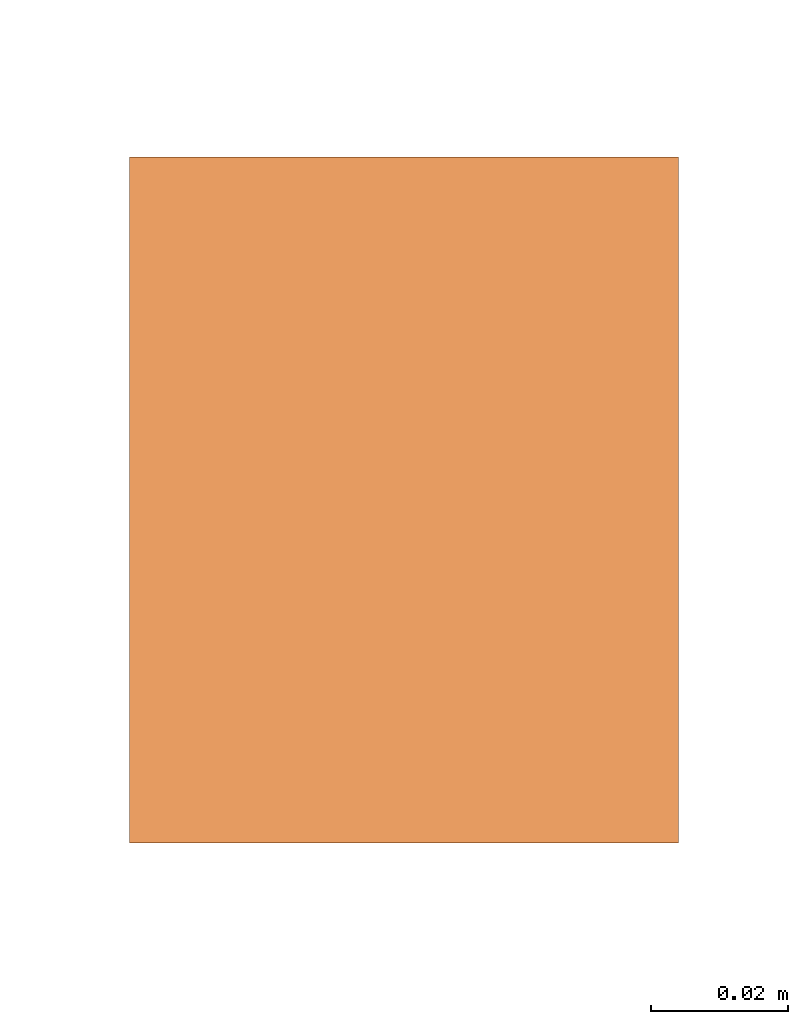
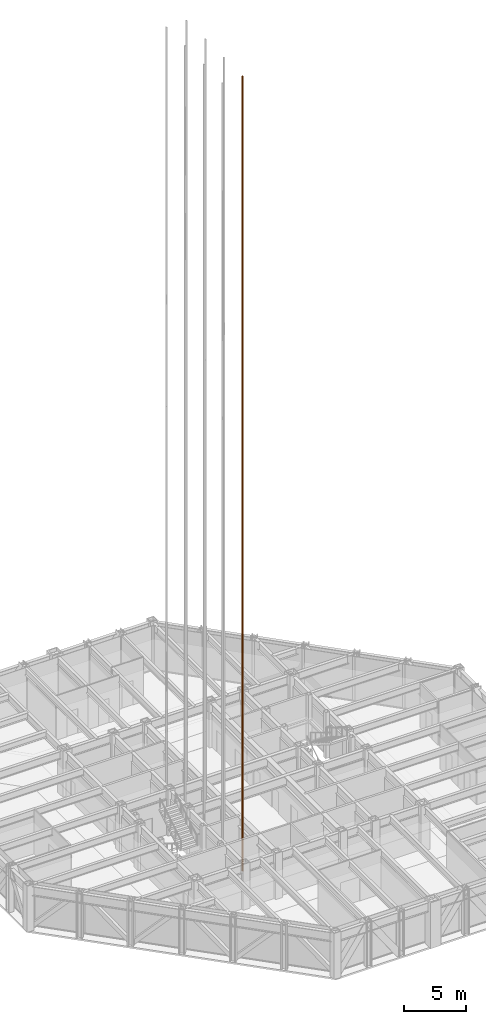
# One storey, part 18 of 24: 1 proxy.
"""IFC4 building model written with IfcOpenShell, lengths in metres."""

from ifc_helpers import new_model, si_unit, direction, frame, origin, origin_2d, place, context, subcontext, project, spatial, rectangle, extrude, material, type_object, element, save


model = new_model("IFC4")

# Units and contexts
model_context = context("Model", 3, precision=1e-05, world=origin(), true_north=direction((0.0, 1.0)))
body_context = subcontext(model_context, "Body", "Model", "MODEL_VIEW")
ifc_project = project(units=[si_unit("LENGTHUNIT", "METRE"), si_unit("AREAUNIT", "SQUARE_METRE"), si_unit("VOLUMEUNIT", "CUBIC_METRE"), si_unit("PLANEANGLEUNIT", "RADIAN"), si_unit("MASSUNIT", "GRAM", prefix="KILO")], contexts=[model_context])

# Site, building, storey
site_placement = place(None, origin())
site = spatial("IfcSite", under=ifc_project, at=site_placement, CompositionType="ELEMENT")
building_placement = place(site_placement, origin())
building = spatial("IfcBuilding", under=site, at=building_placement, Name="Chuquiago Exchange Tower", CompositionType="ELEMENT")
storey_placement = place(building_placement, frame((0.0, 0.0, 180.0)))
storey = spatial("IfcBuildingStorey", under=building, at=storey_placement, Name="L39", CompositionType="ELEMENT", Elevation=180.0)

# Proxy
ifc_material = material(Name="Galvanised steel guide rail", Category="steel")
building_element_proxy_type = type_object("IfcBuildingElementProxyType", Name="LR lift guide rail", PredefinedType="NOTDEFINED", material=ifc_material)
proxy_placement = place(storey_placement, frame((18.93505859375, 16.5, 0.0), z_axis=(0.0, 0.0, 1.0), x_axis=(1.0, 0.0, 0.0)))
element("IfcBuildingElementProxy", 1, at=proxy_placement, inside=storey, type_object=building_element_proxy_type, Name="Lift LC1 guide rail E", PredefinedType="NOTDEFINED", context=body_context, shape_type="SweptSolid", body=[
    extrude(rectangle(XDim=0.080078125, YDim=0.10009765625, at=origin_2d()), origin(), (0.0, 0.0, 1.0), 77.699951171875),
])

save(model, "model.ifc")
